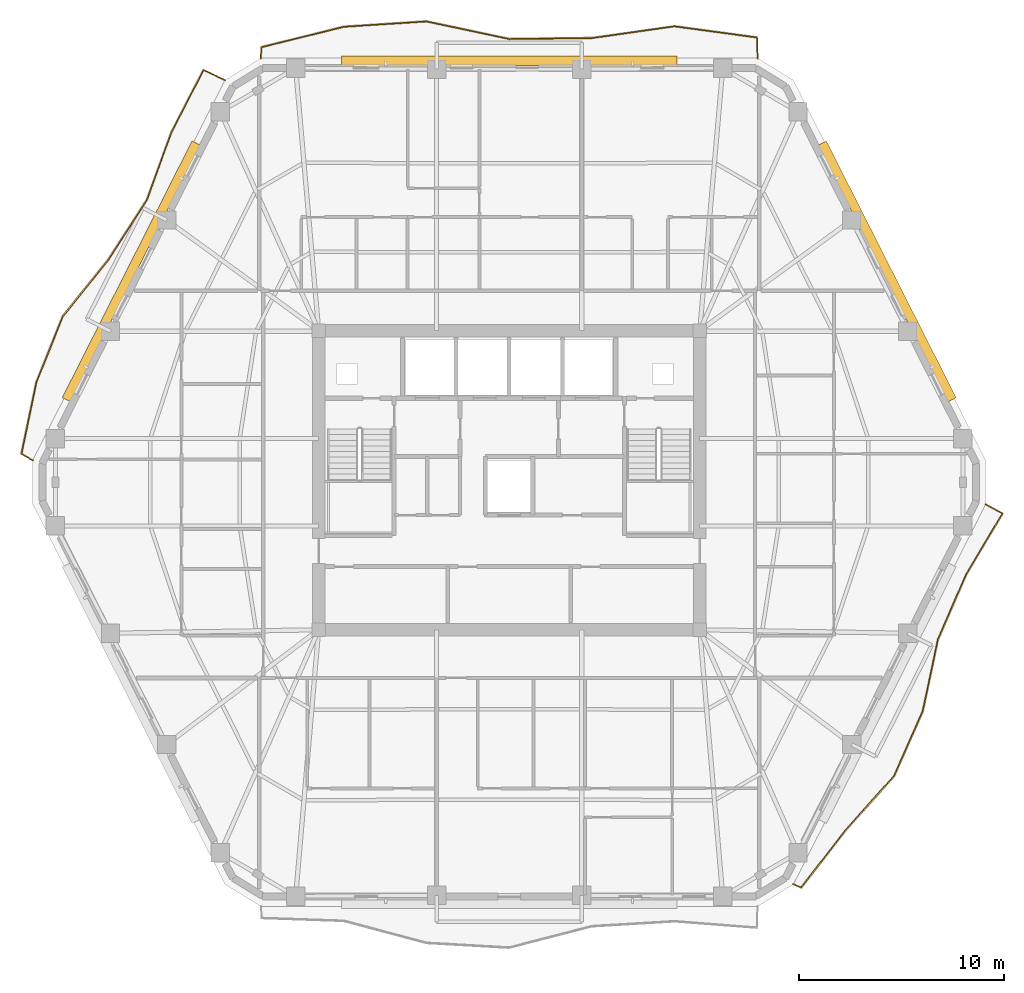
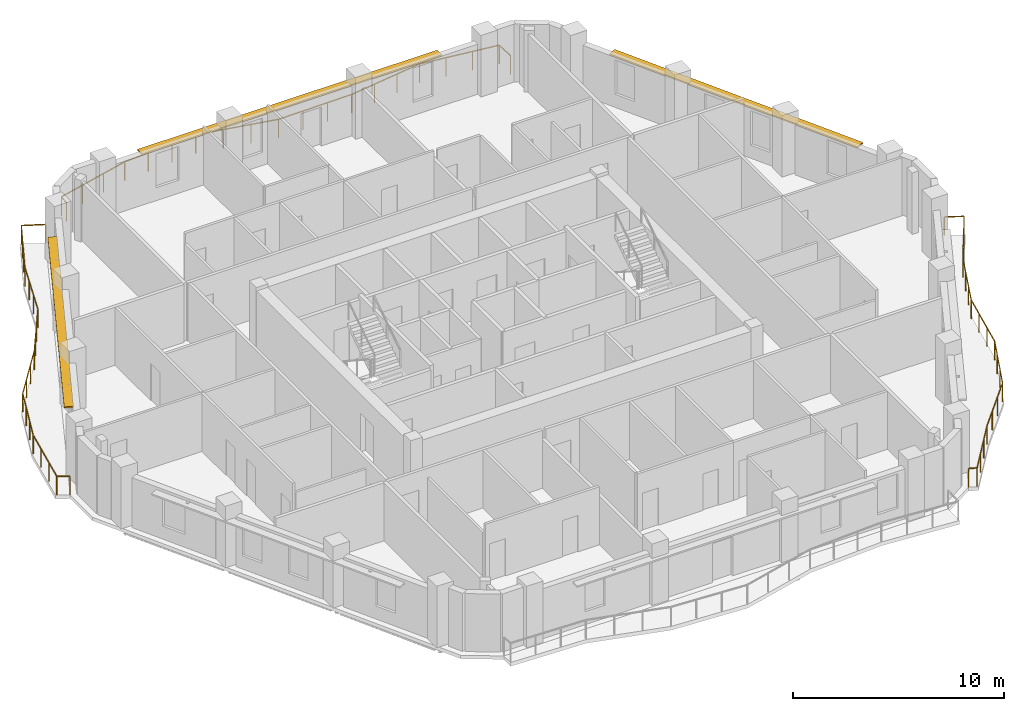
# One storey, part 11 of 11: 3 railings, 3 shading devices.
"""IFC4 building model written with IfcOpenShell, lengths in metres."""

from ifc_helpers import new_model, si_unit, direction, frame, origin, origin_2d, place, context, subcontext, project, spatial, rectangle, extrude, material, layer, layer_set, type_object, element, save


model = new_model("IFC4")

# Units and contexts
model_context = context("Model", 3, precision=1e-05, world=origin(), true_north=direction((0.0, 1.0)))
body_context = subcontext(model_context, "Body", "Model", "MODEL_VIEW")
ifc_project = project(units=[si_unit("LENGTHUNIT", "METRE"), si_unit("AREAUNIT", "SQUARE_METRE"), si_unit("VOLUMEUNIT", "CUBIC_METRE"), si_unit("PLANEANGLEUNIT", "RADIAN"), si_unit("MASSUNIT", "GRAM", prefix="KILO")], contexts=[model_context])

# Site, building, storey
site_placement = place(None, origin())
site = spatial("IfcSite", under=ifc_project, at=site_placement, CompositionType="ELEMENT")
building_placement = place(site_placement, origin())
building = spatial("IfcBuilding", under=site, at=building_placement, Name="Cinnabar Lancet Tower", CompositionType="ELEMENT")
storey_placement = place(building_placement, frame((0.0, 0.0, 182.550048828125)))
storey = spatial("IfcBuildingStorey", under=building, at=storey_placement, Name="L48", CompositionType="ELEMENT", Elevation=182.550048828125)

# Railings
ifc_material_1 = material(Name="Laminated safety glass and bronze stainless steel balustrade", Category="steel")
railing_type = type_object("IfcRailingType", Name="ENV-RLG-BAL-1100", PredefinedType="BALUSTRADE", material=ifc_material_1)
railing_1_placement = place(storey_placement, frame((46.27001953125, 6.1708984375, 0.0)))
element("IfcRailing", 1, at=railing_1_placement, inside=storey, type_object=railing_type, Name="L48 Face 2 Wave Balcony Balustrade", PredefinedType="BALUSTRADE", context=body_context, shape_type="SweptSolid", body=[
    extrude(rectangle(XDim=0.048095703125, YDim=0.048095703125, at=origin_2d()), frame((0.0, 0.0, 1.076171875), z_axis=(0.925394521607, -0.379005249805, 0.0), x_axis=(0.379005249805, 0.925394521607, 0.0)), (0.0, 0.0, 1.0), 0.408447265625),
    extrude(rectangle(XDim=0.048095703125, YDim=0.048095703125, at=origin_2d()), frame((0.3779296875, -0.15478515625, 1.076171875), z_axis=(0.611469217262, 0.791268220227, 0.0), x_axis=(-0.791268220227, 0.611469217262, 0.0)), (0.0, 0.0, 1.0), 3.51953125),
    extrude(rectangle(XDim=0.048095703125, YDim=0.048095703125, at=origin_2d()), frame((2.530029296875, 2.630126953125, 1.076171875), z_axis=(0.666297874544, 0.745685686049, 0.0), x_axis=(-0.745685686049, 0.666297874544, 0.0)), (0.0, 0.0, 1.0), 3.57666015625),
    extrude(rectangle(XDim=0.048095703125, YDim=0.048095703125, at=origin_2d()), frame((4.9130859375, 5.297119140625, 1.076171875), z_axis=(0.404633043849, 0.914479141274, 0.0), x_axis=(-0.914479141274, 0.404633043849, 0.0)), (0.0, 0.0, 1.0), 3.462158203125),
    extrude(rectangle(XDim=0.048095703125, YDim=0.048095703125, at=origin_2d()), frame((6.31396484375, 8.463134765625, 1.076171875), z_axis=(0.207018936898, 0.978336935706, 0.0), x_axis=(-0.978336935706, 0.207018936898, 0.0)), (0.0, 0.0, 1.0), 3.574462890625),
    extrude(rectangle(XDim=0.048095703125, YDim=0.048095703125, at=origin_2d()), frame((7.053955078125, 11.960205078125, 1.076171875), z_axis=(0.398272251385, 0.917267253191, 0.0), x_axis=(-0.917267253191, 0.398272251385, 0.0)), (0.0, 0.0, 1.0), 3.462158203125),
    extrude(rectangle(XDim=0.048095703125, YDim=0.048095703125, at=origin_2d()), frame((8.432861328125, 15.135986328125, 1.076171875), z_axis=(0.512806028186, 0.858504500545, 0.0), x_axis=(-0.858504500545, 0.512806028186, 0.0)), (0.0, 0.0, 1.0), 3.46533203125),
    extrude(rectangle(XDim=0.048095703125, YDim=0.048095703125, at=origin_2d()), frame((10.2099609375, 18.111083984375, 1.076171875), z_axis=(-0.878503113992, 0.477736620647, 0.0), x_axis=(-0.477736620647, -0.878503113992, 0.0)), (0.0, 0.0, 1.0), 0.935791015625),
    extrude(rectangle(XDim=0.0419921875, YDim=0.0419921875, at=origin_2d()), origin(), (0.0, 0.0, 1.0), 1.052001953125),
    extrude(rectangle(XDim=0.0419921875, YDim=0.0419921875, at=origin_2d()), frame((0.3779296875, -0.15478515625, 0.0)), (0.0, 0.0, 1.0), 1.052001953125),
    extrude(rectangle(XDim=0.0419921875, YDim=0.0419921875, at=origin_2d()), frame((1.09521484375, 0.7734375, 0.0)), (0.0, 0.0, 1.0), 1.052001953125),
    extrude(rectangle(XDim=0.0419921875, YDim=0.0419921875, at=origin_2d()), frame((1.812744140625, 1.701904296875, 0.0)), (0.0, 0.0, 1.0), 1.052001953125),
    extrude(rectangle(XDim=0.0419921875, YDim=0.0419921875, at=origin_2d()), frame((2.530029296875, 2.630126953125, 0.0)), (0.0, 0.0, 1.0), 1.052001953125),
    extrude(rectangle(XDim=0.0419921875, YDim=0.0419921875, at=origin_2d()), frame((3.324462890625, 3.51904296875, 0.0)), (0.0, 0.0, 1.0), 1.052001953125),
    extrude(rectangle(XDim=0.0419921875, YDim=0.0419921875, at=origin_2d()), frame((4.11865234375, 4.408203125, 0.0)), (0.0, 0.0, 1.0), 1.052001953125),
    extrude(rectangle(XDim=0.0419921875, YDim=0.0419921875, at=origin_2d()), frame((4.9130859375, 5.297119140625, 0.0)), (0.0, 0.0, 1.0), 1.052001953125),
    extrude(rectangle(XDim=0.0419921875, YDim=0.0419921875, at=origin_2d()), frame((5.380126953125, 6.3525390625, 0.0)), (0.0, 0.0, 1.0), 1.052001953125),
    extrude(rectangle(XDim=0.0419921875, YDim=0.0419921875, at=origin_2d()), frame((5.846923828125, 7.40771484375, 0.0)), (0.0, 0.0, 1.0), 1.052001953125),
    extrude(rectangle(XDim=0.0419921875, YDim=0.0419921875, at=origin_2d()), frame((6.31396484375, 8.463134765625, 0.0)), (0.0, 0.0, 1.0), 1.052001953125),
    extrude(rectangle(XDim=0.0419921875, YDim=0.0419921875, at=origin_2d()), frame((6.560546875, 9.62890625, 0.0)), (0.0, 0.0, 1.0), 1.052001953125),
    extrude(rectangle(XDim=0.0419921875, YDim=0.0419921875, at=origin_2d()), frame((6.807373046875, 10.79443359375, 0.0)), (0.0, 0.0, 1.0), 1.052001953125),
    extrude(rectangle(XDim=0.0419921875, YDim=0.0419921875, at=origin_2d()), frame((7.053955078125, 11.960205078125, 0.0)), (0.0, 0.0, 1.0), 1.052001953125),
    extrude(rectangle(XDim=0.0419921875, YDim=0.0419921875, at=origin_2d()), frame((7.513671875, 13.018798828125, 0.0)), (0.0, 0.0, 1.0), 1.052001953125),
    extrude(rectangle(XDim=0.0419921875, YDim=0.0419921875, at=origin_2d()), frame((7.97314453125, 14.077392578125, 0.0)), (0.0, 0.0, 1.0), 1.052001953125),
    extrude(rectangle(XDim=0.0419921875, YDim=0.0419921875, at=origin_2d()), frame((8.432861328125, 15.135986328125, 0.0)), (0.0, 0.0, 1.0), 1.052001953125),
    extrude(rectangle(XDim=0.0419921875, YDim=0.0419921875, at=origin_2d()), frame((9.025146484375, 16.127685546875, 0.0)), (0.0, 0.0, 1.0), 1.052001953125),
    extrude(rectangle(XDim=0.0419921875, YDim=0.0419921875, at=origin_2d()), frame((9.61767578125, 17.119384765625, 0.0)), (0.0, 0.0, 1.0), 1.052001953125),
    extrude(rectangle(XDim=0.0419921875, YDim=0.0419921875, at=origin_2d()), frame((10.2099609375, 18.111083984375, 0.0)), (0.0, 0.0, 1.0), 1.052001953125),
    extrude(rectangle(XDim=0.0419921875, YDim=0.0419921875, at=origin_2d()), frame((9.387939453125, 18.55810546875, 0.0)), (0.0, 0.0, 1.0), 1.052001953125),
])
railing_2_placement = place(storey_placement, frame((44.528076171875, 46.5, 0.0)))
element("IfcRailing", 2, at=railing_2_placement, inside=storey, type_object=railing_type, Name="L48 Face 4 Wave Balcony Balustrade", PredefinedType="BALUSTRADE", context=body_context, shape_type="SweptSolid", body=[
    extrude(rectangle(XDim=0.048095703125, YDim=0.048095703125, at=origin_2d()), frame((0.0, 0.0, 1.076171875), z_axis=(-0.033887041342, 0.999425669287, 0.0), x_axis=(-0.999425669287, -0.033887041342, 0.0)), (0.0, 0.0, 1.0), 1.008544921875),
    extrude(rectangle(XDim=0.048095703125, YDim=0.048095703125, at=origin_2d()), frame((-0.0341796875, 1.008056640625, 1.076171875), z_axis=(-0.990994797197, 0.133900380613, 0.0), x_axis=(-0.133900380613, -0.990994797197, 0.0)), (0.0, 0.0, 1.0), 4.069580078125),
    extrude(rectangle(XDim=0.048095703125, YDim=0.048095703125, at=origin_2d()), frame((-4.067138671875, 1.552978515625, 1.076171875), z_axis=(-0.99001414763, -0.140968037131, 0.0), x_axis=(0.140968037131, -0.99001414763, 0.0)), (0.0, 0.0, 1.0), 4.07177734375),
    extrude(rectangle(XDim=0.048095703125, YDim=0.048095703125, at=origin_2d()), frame((-8.09814453125, 0.97900390625, 1.076171875), z_axis=(-0.999935150422, -0.011388369072, 0.0), x_axis=(0.011388369072, -0.999935150422, 0.0)), (0.0, 0.0, 1.0), 4.0302734375),
    extrude(rectangle(XDim=0.048095703125, YDim=0.048095703125, at=origin_2d()), frame((-12.128173828125, 0.93310546875, 1.076171875), z_axis=(-0.978045343233, 0.208392194143, 0.0), x_axis=(-0.208392194143, -0.978045343233, 0.0)), (0.0, 0.0, 1.0), 4.12158203125),
    extrude(rectangle(XDim=0.048095703125, YDim=0.048095703125, at=origin_2d()), frame((-16.1591796875, 1.7919921875, 1.076171875), z_axis=(-0.997909365354, -0.064628929575, 0.0), x_axis=(0.064628929575, -0.997909365354, 0.0)), (0.0, 0.0, 1.0), 4.038330078125),
    extrude(rectangle(XDim=0.048095703125, YDim=0.048095703125, at=origin_2d()), frame((-20.18896484375, 1.531005859375, 1.076171875), z_axis=(-0.970706842718, -0.240266987953, 0.0), x_axis=(0.240266987953, -0.970706842718, 0.0)), (0.0, 0.0, 1.0), 4.15380859375),
    extrude(rectangle(XDim=0.048095703125, YDim=0.048095703125, at=origin_2d()), frame((-24.22119140625, 0.532958984375, 1.076171875), z_axis=(-0.065366089367, -0.997861350269, 0.0), x_axis=(0.997861350269, -0.065366089367, 0.0)), (0.0, 0.0, 1.0), 0.5341796875),
    extrude(rectangle(XDim=0.0419921875, YDim=0.0419921875, at=origin_2d()), origin(), (0.0, 0.0, 1.0), 1.052001953125),
    extrude(rectangle(XDim=0.0419921875, YDim=0.0419921875, at=origin_2d()), frame((-0.0341796875, 1.008056640625, 0.0)), (0.0, 0.0, 1.0), 1.052001953125),
    extrude(rectangle(XDim=0.0419921875, YDim=0.0419921875, at=origin_2d()), frame((-1.37841796875, 1.189697265625, 0.0)), (0.0, 0.0, 1.0), 1.052001953125),
    extrude(rectangle(XDim=0.0419921875, YDim=0.0419921875, at=origin_2d()), frame((-2.722900390625, 1.371337890625, 0.0)), (0.0, 0.0, 1.0), 1.052001953125),
    extrude(rectangle(XDim=0.0419921875, YDim=0.0419921875, at=origin_2d()), frame((-4.067138671875, 1.552978515625, 0.0)), (0.0, 0.0, 1.0), 1.052001953125),
    extrude(rectangle(XDim=0.0419921875, YDim=0.0419921875, at=origin_2d()), frame((-5.410888671875, 1.361572265625, 0.0)), (0.0, 0.0, 1.0), 1.052001953125),
    extrude(rectangle(XDim=0.0419921875, YDim=0.0419921875, at=origin_2d()), frame((-6.75439453125, 1.17041015625, 0.0)), (0.0, 0.0, 1.0), 1.052001953125),
    extrude(rectangle(XDim=0.0419921875, YDim=0.0419921875, at=origin_2d()), frame((-8.09814453125, 0.97900390625, 0.0)), (0.0, 0.0, 1.0), 1.052001953125),
    extrude(rectangle(XDim=0.0419921875, YDim=0.0419921875, at=origin_2d()), frame((-9.44140625, 0.963623046875, 0.0)), (0.0, 0.0, 1.0), 1.052001953125),
    extrude(rectangle(XDim=0.0419921875, YDim=0.0419921875, at=origin_2d()), frame((-10.784912109375, 0.948486328125, 0.0)), (0.0, 0.0, 1.0), 1.052001953125),
    extrude(rectangle(XDim=0.0419921875, YDim=0.0419921875, at=origin_2d()), frame((-12.128173828125, 0.93310546875, 0.0)), (0.0, 0.0, 1.0), 1.052001953125),
    extrude(rectangle(XDim=0.0419921875, YDim=0.0419921875, at=origin_2d()), frame((-13.471923828125, 1.219482421875, 0.0)), (0.0, 0.0, 1.0), 1.052001953125),
    extrude(rectangle(XDim=0.0419921875, YDim=0.0419921875, at=origin_2d()), frame((-14.8154296875, 1.505615234375, 0.0)), (0.0, 0.0, 1.0), 1.052001953125),
    extrude(rectangle(XDim=0.0419921875, YDim=0.0419921875, at=origin_2d()), frame((-16.1591796875, 1.7919921875, 0.0)), (0.0, 0.0, 1.0), 1.052001953125),
    extrude(rectangle(XDim=0.0419921875, YDim=0.0419921875, at=origin_2d()), frame((-17.50244140625, 1.705078125, 0.0)), (0.0, 0.0, 1.0), 1.052001953125),
    extrude(rectangle(XDim=0.0419921875, YDim=0.0419921875, at=origin_2d()), frame((-18.845703125, 1.617919921875, 0.0)), (0.0, 0.0, 1.0), 1.052001953125),
    extrude(rectangle(XDim=0.0419921875, YDim=0.0419921875, at=origin_2d()), frame((-20.18896484375, 1.531005859375, 0.0)), (0.0, 0.0, 1.0), 1.052001953125),
    extrude(rectangle(XDim=0.0419921875, YDim=0.0419921875, at=origin_2d()), frame((-21.532958984375, 1.1982421875, 0.0)), (0.0, 0.0, 1.0), 1.052001953125),
    extrude(rectangle(XDim=0.0419921875, YDim=0.0419921875, at=origin_2d()), frame((-22.877197265625, 0.86572265625, 0.0)), (0.0, 0.0, 1.0), 1.052001953125),
    extrude(rectangle(XDim=0.0419921875, YDim=0.0419921875, at=origin_2d()), frame((-24.22119140625, 0.532958984375, 0.0)), (0.0, 0.0, 1.0), 1.052001953125),
    extrude(rectangle(XDim=0.0419921875, YDim=0.0419921875, at=origin_2d()), frame((-24.256103515625, 0.0, 0.0)), (0.0, 0.0, 1.0), 1.052001953125),
])
railing_3_placement = place(storey_placement, frame((18.530029296875, 45.428955078125, 0.0)))
element("IfcRailing", 3, at=railing_3_placement, inside=storey, type_object=railing_type, Name="L48 Face 5 Wave Balcony Balustrade", PredefinedType="BALUSTRADE", context=body_context, shape_type="SweptSolid", body=[
    extrude(rectangle(XDim=0.048095703125, YDim=0.048095703125, at=origin_2d()), frame((0.0, 0.0, 1.076171875), z_axis=(-0.90401609591, 0.427498419104, 0.0), x_axis=(-0.427498419104, -0.90401609591, 0.0)), (0.0, 0.0, 1.0), 1.160400390625),
    extrude(rectangle(XDim=0.048095703125, YDim=0.048095703125, at=origin_2d()), frame((-1.049072265625, 0.49609375, 1.076171875), z_axis=(-0.457268238717, -0.889328824373, 0.0), x_axis=(0.889328824373, -0.457268238717, 0.0)), (0.0, 0.0, 1.0), 3.45751953125),
    extrude(rectangle(XDim=0.048095703125, YDim=0.048095703125, at=origin_2d()), frame((-2.630126953125, -2.578857421875, 1.076171875), z_axis=(-0.340183561248, -0.940359050925, 0.0), x_axis=(0.940359050925, -0.340183561248, 0.0)), (0.0, 0.0, 1.0), 3.48291015625),
    extrude(rectangle(XDim=0.048095703125, YDim=0.048095703125, at=origin_2d()), frame((-3.81494140625, -5.85400390625, 1.076171875), z_axis=(-0.541971611677, -0.840396794458, 0.0), x_axis=(0.840396794458, -0.541971611677, 0.0)), (0.0, 0.0, 1.0), 3.474365234375),
    extrude(rectangle(XDim=0.048095703125, YDim=0.048095703125, at=origin_2d()), frame((-5.697998046875, -8.77392578125, 1.076171875), z_axis=(-0.626858999051, -0.779132719958, 0.0), x_axis=(0.779132719958, -0.626858999051, 0.0)), (0.0, 0.0, 1.0), 3.531982421875),
    extrude(rectangle(XDim=0.048095703125, YDim=0.048095703125, at=origin_2d()), frame((-7.912109375, -11.52587890625, 1.076171875), z_axis=(-0.372627715904, -0.927980918629, 0.0), x_axis=(0.927980918629, -0.372627715904, 0.0)), (0.0, 0.0, 1.0), 3.469970703125),
    extrude(rectangle(XDim=0.048095703125, YDim=0.048095703125, at=origin_2d()), frame((-9.205078125, -14.745849609375, 1.076171875), z_axis=(-0.204256646026, -0.97891737269, 0.0), x_axis=(0.97891737269, -0.204256646026, 0.0)), (0.0, 0.0, 1.0), 3.57861328125),
    extrude(rectangle(XDim=0.048095703125, YDim=0.048095703125, at=origin_2d()), frame((-9.93603515625, -18.2490234375, 1.076171875), z_axis=(0.871212564421, -0.490905966144, 0.0), x_axis=(0.490905966144, 0.871212564421, 0.0)), (0.0, 0.0, 1.0), 0.629150390625),
    extrude(rectangle(XDim=0.0419921875, YDim=0.0419921875, at=origin_2d()), origin(), (0.0, 0.0, 1.0), 1.052001953125),
    extrude(rectangle(XDim=0.0419921875, YDim=0.0419921875, at=origin_2d()), frame((-1.049072265625, 0.49609375, 0.0)), (0.0, 0.0, 1.0), 1.052001953125),
    extrude(rectangle(XDim=0.0419921875, YDim=0.0419921875, at=origin_2d()), frame((-1.576171875, -0.52880859375, 0.0)), (0.0, 0.0, 1.0), 1.052001953125),
    extrude(rectangle(XDim=0.0419921875, YDim=0.0419921875, at=origin_2d()), frame((-2.10302734375, -1.553955078125, 0.0)), (0.0, 0.0, 1.0), 1.052001953125),
    extrude(rectangle(XDim=0.0419921875, YDim=0.0419921875, at=origin_2d()), frame((-2.630126953125, -2.578857421875, 0.0)), (0.0, 0.0, 1.0), 1.052001953125),
    extrude(rectangle(XDim=0.0419921875, YDim=0.0419921875, at=origin_2d()), frame((-3.025146484375, -3.670654296875, 0.0)), (0.0, 0.0, 1.0), 1.052001953125),
    extrude(rectangle(XDim=0.0419921875, YDim=0.0419921875, at=origin_2d()), frame((-3.419921875, -4.76220703125, 0.0)), (0.0, 0.0, 1.0), 1.052001953125),
    extrude(rectangle(XDim=0.0419921875, YDim=0.0419921875, at=origin_2d()), frame((-3.81494140625, -5.85400390625, 0.0)), (0.0, 0.0, 1.0), 1.052001953125),
    extrude(rectangle(XDim=0.0419921875, YDim=0.0419921875, at=origin_2d()), frame((-4.442626953125, -6.827392578125, 0.0)), (0.0, 0.0, 1.0), 1.052001953125),
    extrude(rectangle(XDim=0.0419921875, YDim=0.0419921875, at=origin_2d()), frame((-5.0703125, -7.800537109375, 0.0)), (0.0, 0.0, 1.0), 1.052001953125),
    extrude(rectangle(XDim=0.0419921875, YDim=0.0419921875, at=origin_2d()), frame((-5.697998046875, -8.77392578125, 0.0)), (0.0, 0.0, 1.0), 1.052001953125),
    extrude(rectangle(XDim=0.0419921875, YDim=0.0419921875, at=origin_2d()), frame((-6.43603515625, -9.691162109375, 0.0)), (0.0, 0.0, 1.0), 1.052001953125),
    extrude(rectangle(XDim=0.0419921875, YDim=0.0419921875, at=origin_2d()), frame((-7.174072265625, -10.608642578125, 0.0)), (0.0, 0.0, 1.0), 1.052001953125),
    extrude(rectangle(XDim=0.0419921875, YDim=0.0419921875, at=origin_2d()), frame((-7.912109375, -11.52587890625, 0.0)), (0.0, 0.0, 1.0), 1.052001953125),
    extrude(rectangle(XDim=0.0419921875, YDim=0.0419921875, at=origin_2d()), frame((-8.343017578125, -12.59912109375, 0.0)), (0.0, 0.0, 1.0), 1.052001953125),
    extrude(rectangle(XDim=0.0419921875, YDim=0.0419921875, at=origin_2d()), frame((-8.774169921875, -13.672607421875, 0.0)), (0.0, 0.0, 1.0), 1.052001953125),
    extrude(rectangle(XDim=0.0419921875, YDim=0.0419921875, at=origin_2d()), frame((-9.205078125, -14.745849609375, 0.0)), (0.0, 0.0, 1.0), 1.052001953125),
    extrude(rectangle(XDim=0.0419921875, YDim=0.0419921875, at=origin_2d()), frame((-9.44873046875, -15.91357421875, 0.0)), (0.0, 0.0, 1.0), 1.052001953125),
    extrude(rectangle(XDim=0.0419921875, YDim=0.0419921875, at=origin_2d()), frame((-9.6923828125, -17.081298828125, 0.0)), (0.0, 0.0, 1.0), 1.052001953125),
    extrude(rectangle(XDim=0.0419921875, YDim=0.0419921875, at=origin_2d()), frame((-9.93603515625, -18.2490234375, 0.0)), (0.0, 0.0, 1.0), 1.052001953125),
    extrude(rectangle(XDim=0.0419921875, YDim=0.0419921875, at=origin_2d()), frame((-9.387939453125, -18.557861328125, 0.0)), (0.0, 0.0, 1.0), 1.052001953125),
])

# Shading devices
ifc_material_2 = material(Name="Pale limestone architectural aluminium sunshade", Category="masonry")
ifc_layer = layer(ifc_material_2, 0.080078125)
ifc_layer_set = layer_set([ifc_layer], Name="Pale limestone architectural aluminium sunshade")
shading_device_type = type_object("IfcShadingDeviceType", Name="ENV-SHD-LVR-450", PredefinedType="JALOUSIE", material=ifc_layer_set)
shading_device_1_placement = place(storey_placement, frame((50.845947265625, 36.093994140625, 2.639892578125), z_axis=(0.0, 0.0, 1.0), x_axis=(-0.45140713236, 0.892318105193, 0.0)))
element("IfcShadingDevice", 4, at=shading_device_1_placement, inside=storey, type_object=shading_device_type, Name="L48 Face 3 Horizontal Sunshade Canopy", PredefinedType="JALOUSIE", context=body_context, shape_type="SweptSolid", body=[
    extrude(rectangle(XDim=14.034912109375, YDim=0.449951171875, at=origin_2d()), origin(), (0.0, 0.0, 1.0), 0.080078125),
])
shading_device_2_placement = place(storey_placement, frame((32.39990234375, 46.3701171875, 2.639892578125), z_axis=(0.0, 0.0, 1.0), x_axis=(-1.0, 0.0, 0.0)))
element("IfcShadingDevice", 5, at=shading_device_2_placement, inside=storey, type_object=shading_device_type, Name="L48 Face 4 Horizontal Sunshade Canopy", PredefinedType="JALOUSIE", context=body_context, shape_type="SweptSolid", body=[
    extrude(rectangle(XDim=16.3720703125, YDim=0.449951171875, at=origin_2d()), origin(), (0.0, 0.0, 1.0), 0.080078125),
])
shading_device_3_placement = place(storey_placement, frame((13.9541015625, 36.093994140625, 2.639892578125), z_axis=(0.0, 0.0, 1.0), x_axis=(-0.45140713236, -0.892318105193, 0.0)))
element("IfcShadingDevice", 6, at=shading_device_3_placement, inside=storey, type_object=shading_device_type, Name="L48 Face 5 Horizontal Sunshade Canopy", PredefinedType="JALOUSIE", context=body_context, shape_type="SweptSolid", body=[
    extrude(rectangle(XDim=14.034912109375, YDim=0.449951171875, at=origin_2d()), origin(), (0.0, 0.0, 1.0), 0.080078125),
])

save(model, "model.ifc")
